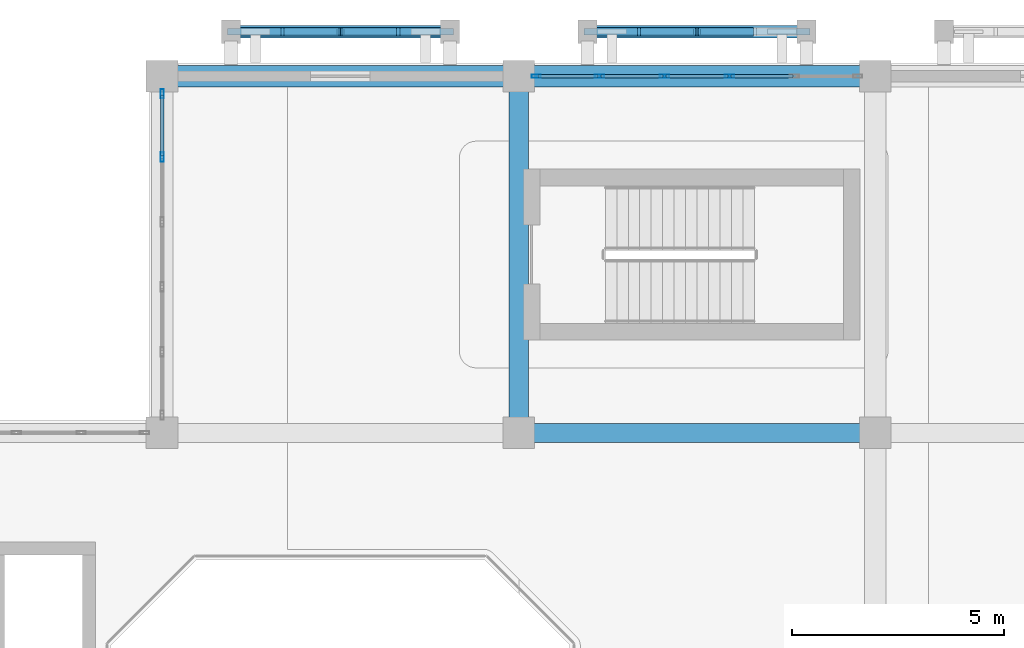
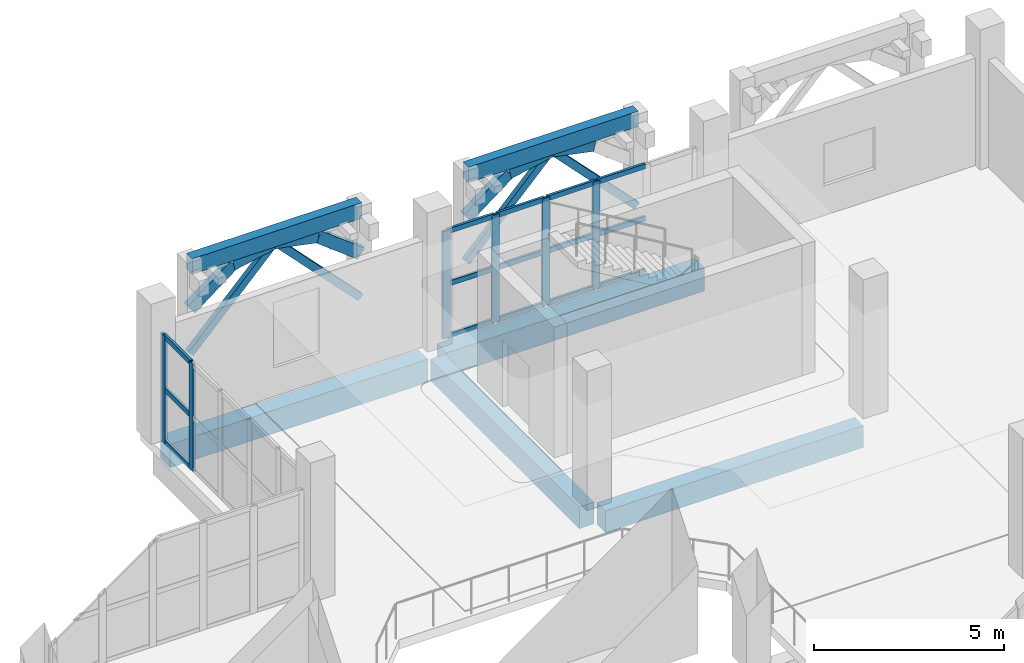
# One storey, part 15 of 34: 32 members, 6 beams, 2 elements without a shape of their own.
"""IFC4 building model written with IfcOpenShell, lengths in metres."""

import ifcopenshell
import ifcopenshell.guid

model = None  # the IFC model being written
_history = None  # IfcOwnerHistory: only IFC2X3 demands one
_inside = {}  # id of a spatial element -> (the spatial element, [elements in it])
_under = {}  # id of a project, library or spatial element -> (it, [spatial elements below it])
_declared = {}  # id of a project -> (the project, [libraries it declares])
_typed = {}  # id of a type object -> (the type object, [elements of that type])
_made_of = {}  # id of a material, layer set ... -> (it, [elements and type objects made of it])


def new_model(schema):
    """Start an empty IFC model of exactly this schema.

    Asked for "IFC4X3", IfcOpenShell would pick the latest addendum, in which some entities
    have other attributes; the version numbers below select the first issue.
    IFC2X3 requires an IfcOwnerHistory on every rooted entity: one is made here for all.
    """
    global model, _history
    if schema == "IFC4X3":
        model = ifcopenshell.file(schema_version=(4, 3, 0, 0))
    else:
        model = ifcopenshell.file(schema=schema)
    _inside.clear()
    _under.clear()
    _declared.clear()
    _typed.clear()
    _made_of.clear()
    _history = None
    if model.schema == "IFC2X3":
        org = make("IfcOrganization", Name="unknown")
        user = make(
            "IfcPersonAndOrganization",
            ThePerson=make("IfcPerson", FamilyName="unknown"),
            TheOrganization=org,
        )
        app = make(
            "IfcApplication",
            ApplicationDeveloper=org,
            Version="unknown",
            ApplicationFullName="unknown",
            ApplicationIdentifier="unknown",
        )
        _history = make(
            "IfcOwnerHistory",
            OwningUser=user,
            OwningApplication=app,
            ChangeAction="ADDED",
            CreationDate=0,
        )
    return model


def make(cls, **values):
    """One entity of the class cls with the attributes given. An attribute that is None is left unset."""
    return model.create_entity(
        cls, **{name: value for name, value in values.items() if value is not None}
    )


def rooted(cls, **values):
    """An entity with a GlobalId (a new one), such as an element, a storey or a relation."""
    return make(cls, GlobalId=ifcopenshell.guid.new(), OwnerHistory=_history, **values)


def si_unit(unit_type, name, prefix=None):
    """IfcSIUnit, for example si_unit("LENGTHUNIT", "METRE", prefix="MILLI")."""
    return make("IfcSIUnit", UnitType=unit_type, Prefix=prefix, Name=name)


def assignment(units):
    """IfcUnitAssignment: the units of a project."""
    return None if units is None else make("IfcUnitAssignment", Units=units)


def point(xyz):
    """IfcCartesianPoint."""
    return None if xyz is None else make("IfcCartesianPoint", Coordinates=xyz)


def direction(xyz):
    """IfcDirection."""
    return None if xyz is None else make("IfcDirection", DirectionRatios=xyz)


def frame(location, z_axis=None, x_axis=None):
    """IfcAxis2Placement3D, a coordinate frame: its origin and axes. An axis left out is left unset."""
    return make(
        "IfcAxis2Placement3D",
        Location=point(location),
        Axis=direction(z_axis),
        RefDirection=direction(x_axis),
    )


def frame_2d(location, x_axis=None):
    """IfcAxis2Placement2D, a coordinate frame in the plane: its origin and x axis."""
    return make(
        "IfcAxis2Placement2D", Location=point(location), RefDirection=direction(x_axis)
    )


def origin():
    """The frame at (0, 0, 0) with its axes left unset."""
    return frame((0.0, 0.0, 0.0))


def origin_2d():
    """The frame at (0, 0) in the plane with its x axis left unset."""
    return frame_2d((0.0, 0.0))


def place(relative_to, where):
    """IfcLocalPlacement: puts the frame where relative to a parent placement (None: the world)."""
    return make(
        "IfcLocalPlacement", PlacementRelTo=relative_to, RelativePlacement=where
    )


def context(
    kind, dimensions, precision=None, world=None, true_north=None, identifier=None
):
    """IfcGeometricRepresentationContext, for example the 3D "Model" context."""
    return make(
        "IfcGeometricRepresentationContext",
        ContextIdentifier=identifier,
        ContextType=kind,
        CoordinateSpaceDimension=dimensions,
        Precision=precision,
        WorldCoordinateSystem=world,
        TrueNorth=true_north,
    )


def subcontext(parent, identifier, kind, view, scale=None):
    """IfcGeometricRepresentationSubContext, for example "Body" below "Model"."""
    return make(
        "IfcGeometricRepresentationSubContext",
        ContextIdentifier=identifier,
        ContextType=kind,
        ParentContext=parent,
        TargetScale=scale,
        TargetView=view,
    )


def project(units=None, contexts=None):
    """IfcProject with its units and contexts."""
    return rooted(
        "IfcProject",
        Name="project",
        RepresentationContexts=contexts,
        UnitsInContext=assignment(units),
    )


def spatial(cls, under=None, at=None, **own):
    """A site, building, storey or space (cls), placed at a placement, below another one or the project."""
    s = rooted(cls, ObjectPlacement=at, **own)
    if under is not None:
        _under.setdefault(under.id(), (under, []))[1].append(s)
    return s


def profile(cls, at=None, kind="AREA", **sizes):
    """A parametric profile (cls). Its sizes go by their IFC names, for example OverallWidth=200.0."""
    return make(cls, ProfileType=kind, Position=at, **sizes)


def rectangle(**sizes):
    """IfcRectangleProfileDef."""
    return profile("IfcRectangleProfileDef", **sizes)


def hollow_rectangle(**sizes):
    """IfcRectangleHollowProfileDef."""
    return profile("IfcRectangleHollowProfileDef", **sizes)


def extrude(swept, where, along, depth):
    """IfcExtrudedAreaSolid: the profile swept, set in the frame where, extruded along a direction by depth."""
    return make(
        "IfcExtrudedAreaSolid",
        SweptArea=swept,
        Position=where,
        ExtrudedDirection=direction(along),
        Depth=depth,
    )


def shape(context_of_items, identifier, shape_type, items):
    """IfcShapeRepresentation: the items that make up one representation, for example the "Body"."""
    return make(
        "IfcShapeRepresentation",
        ContextOfItems=context_of_items,
        RepresentationIdentifier=identifier,
        RepresentationType=shape_type,
        Items=items,
    )


def material(Name=None, Category=None):
    """IfcMaterial."""
    return make("IfcMaterial", Name=Name, Category=Category)


def layer(
    of_material, thickness, ventilated=None, Name=None, Category=None, Priority=None
):
    """IfcMaterialLayer: one layer of a wall or slab, of a material (None: an air gap)."""
    return make(
        "IfcMaterialLayer",
        Material=of_material,
        LayerThickness=thickness,
        IsVentilated=ventilated,
        Name=Name,
        Category=Category,
        Priority=Priority,
    )


def layer_set(layers, Name=None):
    """IfcMaterialLayerSet."""
    return make("IfcMaterialLayerSet", MaterialLayers=layers, LayerSetName=Name)


def material_profile(
    of_material, cross_section, Name=None, Category=None, Priority=None
):
    """IfcMaterialProfile: a cross section and its material."""
    return make(
        "IfcMaterialProfile",
        Name=Name,
        Material=of_material,
        Profile=cross_section,
        Priority=Priority,
        Category=Category,
    )


def profile_set(profiles, Name=None, composite=None):
    """IfcMaterialProfileSet."""
    return make(
        "IfcMaterialProfileSet",
        Name=Name,
        MaterialProfiles=profiles,
        CompositeProfile=composite,
    )


def made_of(thing, what):
    """Note that an element or type object is made of a material, layer set ...; save() writes the relation."""
    if what is not None:
        _made_of.setdefault(what.id(), (what, []))[1].append(thing)
    return thing


def type_object(cls, material=None, **own):
    """A type object (cls), such as IfcWallType, which elements share."""
    return made_of(rooted(cls, **own), material)


def element(
    cls,
    number,
    at=None,
    inside=None,
    cuts=None,
    type_object=None,
    material=None,
    context=None,
    identifier="Body",
    shape_type=None,
    held_by="IfcProductDefinitionShape",
    body=None,
    shapes=None,
    **own,
):
    """One element of the class cls, such as IfcWall. Its Tag is "e" and its number.

    at: its placement. inside: the storey or other place that contains it. cuts: it is an
    opening in that element (IfcRelVoidsElement). A single representation is given by context,
    identifier, shape_type and body (its items); several are given by shapes. held_by: the class
    of the entity that holds the representations. save() writes the other relations.
    """
    e = rooted(cls, Tag="e%d" % number, ObjectPlacement=at, **own)
    if body is not None:
        shapes = [shape(context, identifier, shape_type, body)]
    if shapes is not None:
        e.Representation = make(held_by, Representations=shapes)
    if inside is not None:
        _inside.setdefault(inside.id(), (inside, []))[1].append(e)
    if cuts is not None:
        rooted(
            "IfcRelVoidsElement", RelatingBuildingElement=cuts, RelatedOpeningElement=e
        )
    if type_object is not None:
        _typed.setdefault(type_object.id(), (type_object, []))[1].append(e)
    return made_of(e, material)


def aggregate(whole, parts):
    """IfcRelAggregates: a whole, such as a stair, and the parts it consists of."""
    return rooted("IfcRelAggregates", RelatingObject=whole, RelatedObjects=parts)


def save(model, path):
    """Write the relations noted so far, then the file.

    IfcRelAggregates (storeys below a building ...), IfcRelContainedInSpatialStructure (elements
    in a storey), IfcRelDefinesByType, IfcRelAssociatesMaterial and IfcRelDeclares: one each for
    every whole, place, type object, material and project.
    """
    for whole, parts in _under.values():
        aggregate(whole, parts)
    for where, things in _inside.values():
        rooted(
            "IfcRelContainedInSpatialStructure",
            RelatedElements=things,
            RelatingStructure=where,
        )
    for kind, things in _typed.values():
        rooted("IfcRelDefinesByType", RelatedObjects=things, RelatingType=kind)
    for what, things in _made_of.values():
        rooted("IfcRelAssociatesMaterial", RelatedObjects=things, RelatingMaterial=what)
    for by, libraries in _declared.values():
        rooted("IfcRelDeclares", RelatingContext=by, RelatedDefinitions=libraries)
    model.write(path)


model = new_model("IFC4")

# Units and contexts
model_context = context("Model", 3, precision=1e-05, world=origin(), true_north=direction((0.0, 1.0)))
body_context = subcontext(model_context, "Body", "Model", "MODEL_VIEW")
ifc_project = project(units=[si_unit("LENGTHUNIT", "METRE"), si_unit("AREAUNIT", "SQUARE_METRE"), si_unit("VOLUMEUNIT", "CUBIC_METRE"), si_unit("PLANEANGLEUNIT", "RADIAN"), si_unit("MASSUNIT", "GRAM", prefix="KILO")], contexts=[model_context])

# Site, building, storey
site_placement = place(None, origin())
site = spatial("IfcSite", under=ifc_project, at=site_placement, CompositionType="ELEMENT")
building_placement = place(site_placement, origin())
building = spatial("IfcBuilding", under=site, at=building_placement, Name="Xazarin Passage Department Store", CompositionType="ELEMENT")
storey_placement = place(building_placement, frame((0.0, 0.0, 18.89990234375)))
storey = spatial("IfcBuildingStorey", under=building, at=storey_placement, Name="L04", CompositionType="ELEMENT", Elevation=18.89990234375)

# Curtain wall, members
ifc_material_1 = material(Name="Bronze anodised aluminium", Category="aluminium")
ifc_layer = layer(ifc_material_1, 0.199951171875)
ifc_layer_set = layer_set([ifc_layer], Name="Bronze anodised aluminium")
curtain_wall_type = type_object("IfcCurtainWallType", Name="ARC-CW-VIT2", PredefinedType="NOTDEFINED", material=ifc_layer_set)
curtain_wall_1_placement = place(storey_placement, origin())
curtain_wall_1 = element("IfcCurtainWall", 1, at=curtain_wall_1_placement, inside=storey, type_object=curtain_wall_type, Name="L04 V1 Curtain Wall 071", PredefinedType="NOTDEFINED")
ifc_material_profile_1 = material_profile(ifc_material_1, hollow_rectangle(XDim=0.074951171875, YDim=0.219970703125, WallThickness=0.0048828125, at=origin_2d()), Name="ALU 75x220")
ifc_profile_set_1 = profile_set([ifc_material_profile_1], Name="Bronze anodised aluminium")
member_type_1 = type_object("IfcMemberType", Name="ARC-CWM-75x220", PredefinedType="MULLION", material=ifc_profile_set_1)
member_1_placement = place(storey_placement, frame((25.612548828125, 110.0, 0.0), z_axis=(0.0, 0.0, 1.0), x_axis=(0.0, 1.0, 0.0)))
member_1 = element("IfcMember", 2, at=member_1_placement, type_object=member_type_1, Name="CW2 mullion 1", PredefinedType="MULLION", context=body_context, shape_type="SweptSolid", body=[
    extrude(hollow_rectangle(XDim=0.074951171875, YDim=0.219970703125, WallThickness=0.0048828125, at=origin_2d()), origin(), (0.0, 0.0, 1.0), 3.4501953125),
])
member_2_placement = place(storey_placement, frame((27.10498046875, 110.0, 0.0), z_axis=(0.0, 0.0, 1.0), x_axis=(0.0, 1.0, 0.0)))
member_2 = element("IfcMember", 3, at=member_2_placement, type_object=member_type_1, Name="CW2 mullion 2", PredefinedType="MULLION", context=body_context, shape_type="SweptSolid", body=[
    extrude(hollow_rectangle(XDim=0.074951171875, YDim=0.219970703125, WallThickness=0.0048828125, at=origin_2d()), origin(), (0.0, 0.0, 1.0), 3.4501953125),
])
member_3_placement = place(storey_placement, frame((28.635009765625, 110.0, 0.0), z_axis=(0.0, 0.0, 1.0), x_axis=(0.0, 1.0, 0.0)))
member_3 = element("IfcMember", 4, at=member_3_placement, type_object=member_type_1, Name="CW2 mullion 3", PredefinedType="MULLION", context=body_context, shape_type="SweptSolid", body=[
    extrude(hollow_rectangle(XDim=0.074951171875, YDim=0.219970703125, WallThickness=0.0048828125, at=origin_2d()), origin(), (0.0, 0.0, 1.0), 3.4501953125),
])
member_4_placement = place(storey_placement, frame((30.1650390625, 110.0, 0.0), z_axis=(0.0, 0.0, 1.0), x_axis=(0.0, 1.0, 0.0)))
member_4 = element("IfcMember", 5, at=member_4_placement, type_object=member_type_1, Name="CW2 mullion 4", PredefinedType="MULLION", context=body_context, shape_type="SweptSolid", body=[
    extrude(hollow_rectangle(XDim=0.074951171875, YDim=0.219970703125, WallThickness=0.0048828125, at=origin_2d()), origin(), (0.0, 0.0, 1.0), 3.4501953125),
])

curtain_wall_2_placement = place(storey_placement, origin())
curtain_wall_2 = element("IfcCurtainWall", 6, at=curtain_wall_2_placement, inside=storey, type_object=curtain_wall_type, Name="L04 V1 Curtain Wall 074", PredefinedType="NOTDEFINED")
member_5_placement = place(storey_placement, frame((16.800048828125, 108.094970703125, 0.0), z_axis=(0.0, 0.0, 1.0), x_axis=(-1.0, 0.0, 0.0)))
member_5 = element("IfcMember", 7, at=member_5_placement, type_object=member_type_1, Name="CW2 mullion 5", PredefinedType="MULLION", context=body_context, shape_type="SweptSolid", body=[
    extrude(hollow_rectangle(XDim=0.074951171875, YDim=0.219970703125, WallThickness=0.0048828125, at=origin_2d()), origin(), (0.0, 0.0, 1.0), 3.4501953125),
])
member_6_placement = place(storey_placement, frame((16.800048828125, 109.58740234375, 0.0), z_axis=(0.0, 0.0, 1.0), x_axis=(-1.0, 0.0, 0.0)))
member_6 = element("IfcMember", 8, at=member_6_placement, type_object=member_type_1, Name="CW2 mullion 6", PredefinedType="MULLION", context=body_context, shape_type="SweptSolid", body=[
    extrude(hollow_rectangle(XDim=0.074951171875, YDim=0.219970703125, WallThickness=0.0048828125, at=origin_2d()), origin(), (0.0, 0.0, 1.0), 3.4501953125),
])

# Member
ifc_material_profile_2 = material_profile(ifc_material_1, hollow_rectangle(XDim=0.074951171875, YDim=0.159912109375, WallThickness=0.00439453125, at=origin_2d()), Name="ALU 75x160")
ifc_profile_set_2 = profile_set([ifc_material_profile_2], Name="Bronze anodised aluminium")
member_type_2 = type_object("IfcMemberType", Name="ARC-CWT-75x160", PredefinedType="USERDEFINED", material=ifc_profile_set_2)
member_7_placement = place(storey_placement, frame((25.64990234375, 110.0, 0.03759765625), z_axis=(1.0, 0.0, 0.0), x_axis=(0.0, 1.0, 0.0)))
member_7 = element("IfcMember", 9, at=member_7_placement, type_object=member_type_2, Name="CW2 transom 1.1", ObjectType="TRANSOM", PredefinedType="USERDEFINED", context=body_context, shape_type="SweptSolid", body=[
    extrude(hollow_rectangle(XDim=0.074951171875, YDim=0.159912109375, WallThickness=0.00439453125, at=origin_2d()), origin(), (0.0, 0.0, 1.0), 1.41748046875),
])

member_8_placement = place(storey_placement, frame((25.64990234375, 110.0, 1.72509765625), z_axis=(1.0, 0.0, 0.0), x_axis=(0.0, 1.0, 0.0)))
member_8 = element("IfcMember", 10, at=member_8_placement, type_object=member_type_2, Name="CW2 transom 1.2", ObjectType="TRANSOM", PredefinedType="USERDEFINED", context=body_context, shape_type="SweptSolid", body=[
    extrude(hollow_rectangle(XDim=0.074951171875, YDim=0.159912109375, WallThickness=0.00439453125, at=origin_2d()), origin(), (0.0, 0.0, 1.0), 1.41748046875),
])

member_9_placement = place(storey_placement, frame((25.64990234375, 110.0, 3.41259765625), z_axis=(1.0, 0.0, 0.0), x_axis=(0.0, 1.0, 0.0)))
member_9 = element("IfcMember", 11, at=member_9_placement, type_object=member_type_2, Name="CW2 transom 1.3", ObjectType="TRANSOM", PredefinedType="USERDEFINED", context=body_context, shape_type="SweptSolid", body=[
    extrude(hollow_rectangle(XDim=0.074951171875, YDim=0.159912109375, WallThickness=0.00439453125, at=origin_2d()), origin(), (0.0, 0.0, 1.0), 1.41748046875),
])

member_10_placement = place(storey_placement, frame((27.142578125, 110.0, 0.03759765625), z_axis=(1.0, 0.0, 0.0), x_axis=(0.0, 1.0, 0.0)))
member_10 = element("IfcMember", 12, at=member_10_placement, type_object=member_type_2, Name="CW2 transom 2.1", ObjectType="TRANSOM", PredefinedType="USERDEFINED", context=body_context, shape_type="SweptSolid", body=[
    extrude(hollow_rectangle(XDim=0.074951171875, YDim=0.159912109375, WallThickness=0.00439453125, at=origin_2d()), origin(), (0.0, 0.0, 1.0), 1.454833984375),
])

member_11_placement = place(storey_placement, frame((27.142578125, 110.0, 1.72509765625), z_axis=(1.0, 0.0, 0.0), x_axis=(0.0, 1.0, 0.0)))
member_11 = element("IfcMember", 13, at=member_11_placement, type_object=member_type_2, Name="CW2 transom 2.2", ObjectType="TRANSOM", PredefinedType="USERDEFINED", context=body_context, shape_type="SweptSolid", body=[
    extrude(hollow_rectangle(XDim=0.074951171875, YDim=0.159912109375, WallThickness=0.00439453125, at=origin_2d()), origin(), (0.0, 0.0, 1.0), 1.454833984375),
])

member_12_placement = place(storey_placement, frame((27.142578125, 110.0, 3.41259765625), z_axis=(1.0, 0.0, 0.0), x_axis=(0.0, 1.0, 0.0)))
member_12 = element("IfcMember", 14, at=member_12_placement, type_object=member_type_2, Name="CW2 transom 2.3", ObjectType="TRANSOM", PredefinedType="USERDEFINED", context=body_context, shape_type="SweptSolid", body=[
    extrude(hollow_rectangle(XDim=0.074951171875, YDim=0.159912109375, WallThickness=0.00439453125, at=origin_2d()), origin(), (0.0, 0.0, 1.0), 1.454833984375),
])

member_13_placement = place(storey_placement, frame((28.672607421875, 110.0, 0.03759765625), z_axis=(1.0, 0.0, 0.0), x_axis=(0.0, 1.0, 0.0)))
member_13 = element("IfcMember", 15, at=member_13_placement, type_object=member_type_2, Name="CW2 transom 3.1", ObjectType="TRANSOM", PredefinedType="USERDEFINED", context=body_context, shape_type="SweptSolid", body=[
    extrude(hollow_rectangle(XDim=0.074951171875, YDim=0.159912109375, WallThickness=0.00439453125, at=origin_2d()), origin(), (0.0, 0.0, 1.0), 1.454833984375),
])

member_14_placement = place(storey_placement, frame((28.672607421875, 110.0, 1.72509765625), z_axis=(1.0, 0.0, 0.0), x_axis=(0.0, 1.0, 0.0)))
member_14 = element("IfcMember", 16, at=member_14_placement, type_object=member_type_2, Name="CW2 transom 3.2", ObjectType="TRANSOM", PredefinedType="USERDEFINED", context=body_context, shape_type="SweptSolid", body=[
    extrude(hollow_rectangle(XDim=0.074951171875, YDim=0.159912109375, WallThickness=0.00439453125, at=origin_2d()), origin(), (0.0, 0.0, 1.0), 1.454833984375),
])

member_15_placement = place(storey_placement, frame((28.672607421875, 110.0, 3.41259765625), z_axis=(1.0, 0.0, 0.0), x_axis=(0.0, 1.0, 0.0)))
member_15 = element("IfcMember", 17, at=member_15_placement, type_object=member_type_2, Name="CW2 transom 3.3", ObjectType="TRANSOM", PredefinedType="USERDEFINED", context=body_context, shape_type="SweptSolid", body=[
    extrude(hollow_rectangle(XDim=0.074951171875, YDim=0.159912109375, WallThickness=0.00439453125, at=origin_2d()), origin(), (0.0, 0.0, 1.0), 1.454833984375),
])

member_16_placement = place(storey_placement, frame((30.202392578125, 110.0, 0.03759765625), z_axis=(1.0, 0.0, 0.0), x_axis=(0.0, 1.0, 0.0)))
member_16 = element("IfcMember", 18, at=member_16_placement, type_object=member_type_2, Name="CW2 transom 4.1", ObjectType="TRANSOM", PredefinedType="USERDEFINED", context=body_context, shape_type="SweptSolid", body=[
    extrude(hollow_rectangle(XDim=0.074951171875, YDim=0.159912109375, WallThickness=0.00439453125, at=origin_2d()), origin(), (0.0, 0.0, 1.0), 1.455078125),
])

member_17_placement = place(storey_placement, frame((30.202392578125, 110.0, 1.72509765625), z_axis=(1.0, 0.0, 0.0), x_axis=(0.0, 1.0, 0.0)))
member_17 = element("IfcMember", 19, at=member_17_placement, type_object=member_type_2, Name="CW2 transom 4.2", ObjectType="TRANSOM", PredefinedType="USERDEFINED", context=body_context, shape_type="SweptSolid", body=[
    extrude(hollow_rectangle(XDim=0.074951171875, YDim=0.159912109375, WallThickness=0.00439453125, at=origin_2d()), origin(), (0.0, 0.0, 1.0), 1.455078125),
])

member_18_placement = place(storey_placement, frame((30.202392578125, 110.0, 3.41259765625), z_axis=(1.0, 0.0, 0.0), x_axis=(0.0, 1.0, 0.0)))
member_18 = element("IfcMember", 20, at=member_18_placement, type_object=member_type_2, Name="CW2 transom 4.3", ObjectType="TRANSOM", PredefinedType="USERDEFINED", context=body_context, shape_type="SweptSolid", body=[
    extrude(hollow_rectangle(XDim=0.074951171875, YDim=0.159912109375, WallThickness=0.00439453125, at=origin_2d()), origin(), (0.0, 0.0, 1.0), 1.455078125),
])

aggregate(curtain_wall_1, [member_1, member_2, member_3, member_4, member_7, member_8, member_9, member_10, member_11, member_12, member_13, member_14, member_15, member_16, member_17, member_18])

member_19_placement = place(storey_placement, frame((16.800048828125, 108.132568359375, 0.03759765625), z_axis=(0.0, 1.0, 0.0), x_axis=(-1.0, 0.0, 0.0)))
member_19 = element("IfcMember", 21, at=member_19_placement, type_object=member_type_2, Name="CW2 transom 5.1", ObjectType="TRANSOM", PredefinedType="USERDEFINED", context=body_context, shape_type="SweptSolid", body=[
    extrude(hollow_rectangle(XDim=0.074951171875, YDim=0.159912109375, WallThickness=0.00439453125, at=origin_2d()), origin(), (0.0, 0.0, 1.0), 1.41748046875),
])

member_20_placement = place(storey_placement, frame((16.800048828125, 108.132568359375, 1.72509765625), z_axis=(0.0, 1.0, 0.0), x_axis=(-1.0, 0.0, 0.0)))
member_20 = element("IfcMember", 22, at=member_20_placement, type_object=member_type_2, Name="CW2 transom 5.2", ObjectType="TRANSOM", PredefinedType="USERDEFINED", context=body_context, shape_type="SweptSolid", body=[
    extrude(hollow_rectangle(XDim=0.074951171875, YDim=0.159912109375, WallThickness=0.00439453125, at=origin_2d()), origin(), (0.0, 0.0, 1.0), 1.41748046875),
])

member_21_placement = place(storey_placement, frame((16.800048828125, 108.132568359375, 3.41259765625), z_axis=(0.0, 1.0, 0.0), x_axis=(-1.0, 0.0, 0.0)))
member_21 = element("IfcMember", 23, at=member_21_placement, type_object=member_type_2, Name="CW2 transom 5.3", ObjectType="TRANSOM", PredefinedType="USERDEFINED", context=body_context, shape_type="SweptSolid", body=[
    extrude(hollow_rectangle(XDim=0.074951171875, YDim=0.159912109375, WallThickness=0.00439453125, at=origin_2d()), origin(), (0.0, 0.0, 1.0), 1.41748046875),
])

aggregate(curtain_wall_2, [member_5, member_6, member_19, member_20, member_21])

# Beams
ifc_material_2 = material(Name="Concrete C35/45", Category="concrete")
ifc_material_profile_3 = material_profile(ifc_material_2, rectangle(XDim=0.449951171875, YDim=0.699951171875, at=origin_2d()), Name="RC 450x700")
ifc_profile_set_3 = profile_set([ifc_material_profile_3], Name="Concrete C35/45")
beam_type_1 = type_object("IfcBeamType", Name="STR-BM-G450x700", PredefinedType="BEAM", material=ifc_profile_set_3)
for number, where, z_axis, x_axis, name in (
    (24, (25.47998046875, 101.60009765625, -0.64990234375), (1.0, 0.0, 0.0), (0.0, 1.0, 0.0), "L04 Grid Beam P/4-5"),
    (25, (25.199951171875, 101.8798828125, -0.64990234375), (0.0, 1.0, 0.0), (-1.0, 0.0, 0.0), "L04 Grid Beam 4/P-Q"),
):
    element("IfcBeam", number, at=place(storey_placement, frame(where, z_axis=z_axis, x_axis=x_axis)), inside=storey, type_object=beam_type_1, Name=name, PredefinedType="BEAM", context=body_context, shape_type="SweptSolid", body=[
        extrude(rectangle(XDim=0.449951171875, YDim=0.699951171875, at=origin_2d()), origin(), (0.0, 0.0, 1.0), 7.840087890625),
    ])
ifc_material_profile_4 = material_profile(ifc_material_2, rectangle(XDim=0.300048828125, YDim=0.5, at=origin_2d()), Name="RC 300x500")
ifc_profile_set_4 = profile_set([ifc_material_profile_4], Name="Concrete C35/45")
beam_type_2 = type_object("IfcBeamType", Name="STR-BM-LN300x500", PredefinedType="LINTEL", material=ifc_profile_set_4)
beam_1_placement = place(storey_placement, frame((18.419921875, 111.050048828125, 4.25), z_axis=(1.0, 0.0, 0.0), x_axis=(0.0, 1.0, 0.0)))
element("IfcBeam", 26, at=beam_1_placement, inside=storey, type_object=beam_type_2, Name="L04 V1 Colonnade Spandrel Beam 001", PredefinedType="LINTEL", context=body_context, shape_type="SweptSolid", body=[
    extrude(rectangle(XDim=0.300048828125, YDim=0.5, at=origin_2d()), origin(), (0.0, 0.0, 1.0), 5.16015625),
])
beam_2_placement = place(storey_placement, frame((26.820068359375, 111.050048828125, 4.25), z_axis=(1.0, 0.0, 0.0), x_axis=(0.0, 1.0, 0.0)))
element("IfcBeam", 27, at=beam_2_placement, inside=storey, type_object=beam_type_2, Name="L04 V1 Colonnade Spandrel Beam 002", PredefinedType="LINTEL", context=body_context, shape_type="SweptSolid", body=[
    extrude(rectangle(XDim=0.300048828125, YDim=0.5, at=origin_2d()), origin(), (0.0, 0.0, 1.0), 5.159912109375),
])
ifc_material_profile_5 = material_profile(ifc_material_2, rectangle(XDim=0.5, YDim=0.75, at=origin_2d()), Name="RC 500x750")
ifc_profile_set_5 = profile_set([ifc_material_profile_5], Name="Concrete C35/45")
beam_type_3 = type_object("IfcBeamType", Name="STR-BM-SP500x750", PredefinedType="SPANDREL", material=ifc_profile_set_5)
beam_3_placement = place(storey_placement, frame((17.080078125, 110.0, -0.6748046875), z_axis=(1.0, 0.0, 0.0), x_axis=(0.0, 1.0, 0.0)))
element("IfcBeam", 28, at=beam_3_placement, inside=storey, type_object=beam_type_3, Name="L04 Grid Beam Q/3-4", PredefinedType="SPANDREL", context=body_context, shape_type="SweptSolid", body=[
    extrude(rectangle(XDim=0.5, YDim=0.75, at=origin_2d()), origin(), (0.0, 0.0, 1.0), 7.83984375),
])
beam_4_placement = place(storey_placement, frame((25.47998046875, 110.0, -0.6748046875), z_axis=(1.0, 0.0, 0.0), x_axis=(0.0, 1.0, 0.0)))
element("IfcBeam", 29, at=beam_4_placement, inside=storey, type_object=beam_type_3, Name="L04 Grid Beam Q/4-5", PredefinedType="SPANDREL", context=body_context, shape_type="SweptSolid", body=[
    extrude(rectangle(XDim=0.5, YDim=0.75, at=origin_2d()), origin(), (0.0, 0.0, 1.0), 7.840087890625),
])

# Members
ifc_material_3 = material(Name="Concrete C40/50", Category="concrete")
ifc_material_profile_6 = material_profile(ifc_material_3, rectangle(XDim=0.199951171875, YDim=0.360107421875, at=origin_2d()), Name="RC 200x360")
ifc_profile_set_6 = profile_set([ifc_material_profile_6], Name="Concrete C40/50")
member_type_3 = type_object("IfcMemberType", Name="STR-MEM-ARC360", PredefinedType="CHORD", material=ifc_profile_set_6)
member_22_placement = place(storey_placement, frame((18.419921875, 111.050048828125, 2.830078125), z_axis=(0.79440903847, 0.0, 0.607383140692), x_axis=(0.0, 1.0, 0.0)))
element("IfcMember", 30, at=member_22_placement, inside=storey, type_object=member_type_3, Name="L04 V1 Pierced Lattice Curved Arch 001.1", PredefinedType="CHORD", context=body_context, shape_type="SweptSolid", body=[
    extrude(rectangle(XDim=0.199951171875, YDim=0.360107421875, at=origin_2d()), origin(), (0.0, 0.0, 1.0), 1.623779296875),
])
for number, where, z_axis, x_axis, name in (
    (31, (19.7099609375, 111.050048828125, 3.81640625), (0.979744705887, 0.0, 0.200250621188), (0.0, 1.0, 0.0), "L04 V1 Pierced Lattice Curved Arch 001.2"),
    (32, (21.0, 111.050048828125, 4.080078125), (0.979744705887, 0.0, -0.200250621188), (0.0, 1.0, 0.0), "L04 V1 Pierced Lattice Curved Arch 001.3"),
):
    element("IfcMember", number, at=place(storey_placement, frame(where, z_axis=z_axis, x_axis=x_axis)), inside=storey, type_object=member_type_3, Name=name, PredefinedType="CHORD", context=body_context, shape_type="SweptSolid", body=[
        extrude(rectangle(XDim=0.199951171875, YDim=0.360107421875, at=origin_2d()), origin(), (0.0, 0.0, 1.0), 1.316650390625),
    ])
for number, where, z_axis, x_axis, name in (
    (33, (22.2900390625, 111.050048828125, 3.81640625), (0.79440903847, 0.0, -0.607383140692), (0.0, 1.0, 0.0), "L04 V1 Pierced Lattice Curved Arch 001.4"),
    (34, (26.820068359375, 111.050048828125, 2.830078125), (0.79440903847, 0.0, 0.607383140692), (0.0, 1.0, 0.0), "L04 V1 Pierced Lattice Curved Arch 002.1"),
):
    element("IfcMember", number, at=place(storey_placement, frame(where, z_axis=z_axis, x_axis=x_axis)), inside=storey, type_object=member_type_3, Name=name, PredefinedType="CHORD", context=body_context, shape_type="SweptSolid", body=[
        extrude(rectangle(XDim=0.199951171875, YDim=0.360107421875, at=origin_2d()), origin(), (0.0, 0.0, 1.0), 1.623779296875),
    ])
member_23_placement = place(storey_placement, frame((28.110107421875, 111.050048828125, 3.81640625), z_axis=(0.979737268571, 0.0, 0.2002870055), x_axis=(0.0, 1.0, 0.0)))
element("IfcMember", 35, at=member_23_placement, inside=storey, type_object=member_type_3, Name="L04 V1 Pierced Lattice Curved Arch 002.2", PredefinedType="CHORD", context=body_context, shape_type="SweptSolid", body=[
    extrude(rectangle(XDim=0.199951171875, YDim=0.360107421875, at=origin_2d()), origin(), (0.0, 0.0, 1.0), 1.31640625),
])
member_24_placement = place(storey_placement, frame((29.39990234375, 111.050048828125, 4.080078125), z_axis=(0.979744705887, 0.0, -0.200250621188), x_axis=(0.0, 1.0, 0.0)))
element("IfcMember", 36, at=member_24_placement, inside=storey, type_object=member_type_3, Name="L04 V1 Pierced Lattice Curved Arch 002.3", PredefinedType="CHORD", context=body_context, shape_type="SweptSolid", body=[
    extrude(rectangle(XDim=0.199951171875, YDim=0.360107421875, at=origin_2d()), origin(), (0.0, 0.0, 1.0), 1.316650390625),
])
ifc_material_profile_7 = material_profile(ifc_material_3, rectangle(XDim=0.159912109375, YDim=0.219970703125, at=origin_2d()), Name="RC 160x220")
ifc_profile_set_7 = profile_set([ifc_material_profile_7], Name="Concrete C40/50")
member_type_4 = type_object("IfcMemberType", Name="STR-MEM-TRC220", PredefinedType="CHORD", material=ifc_profile_set_7)
for number, where, z_axis, x_axis, name in (
    (37, (21.0, 111.050048828125, 4.080078125), (-0.693558444435, 0.0, -0.720400363793), (0.0, -1.0, 0.0), "L04 V1 Upper Lattice Tracery Arch 001L"),
    (38, (21.0, 111.050048828125, 4.080078125), (0.693558444435, 0.0, -0.720400363793), (0.0, 1.0, 0.0), "L04 V1 Upper Lattice Tracery Arch 001R"),
    (39, (29.39990234375, 111.050048828125, 4.080078125), (-0.693524382622, 0.0, -0.72043315492), (0.0, -1.0, 0.0), "L04 V1 Upper Lattice Tracery Arch 002L"),
    (40, (29.39990234375, 111.050048828125, 4.080078125), (0.693558444435, 0.0, -0.720400363793), (0.0, 1.0, 0.0), "L04 V1 Upper Lattice Tracery Arch 002R"),
):
    element("IfcMember", number, at=place(storey_placement, frame(where, z_axis=z_axis, x_axis=x_axis)), inside=storey, type_object=member_type_4, Name=name, PredefinedType="CHORD", context=body_context, shape_type="SweptSolid", body=[
        extrude(rectangle(XDim=0.159912109375, YDim=0.219970703125, at=origin_2d()), origin(), (0.0, 0.0, 1.0), 3.719970703125),
    ])

save(model, "model.ifc")
